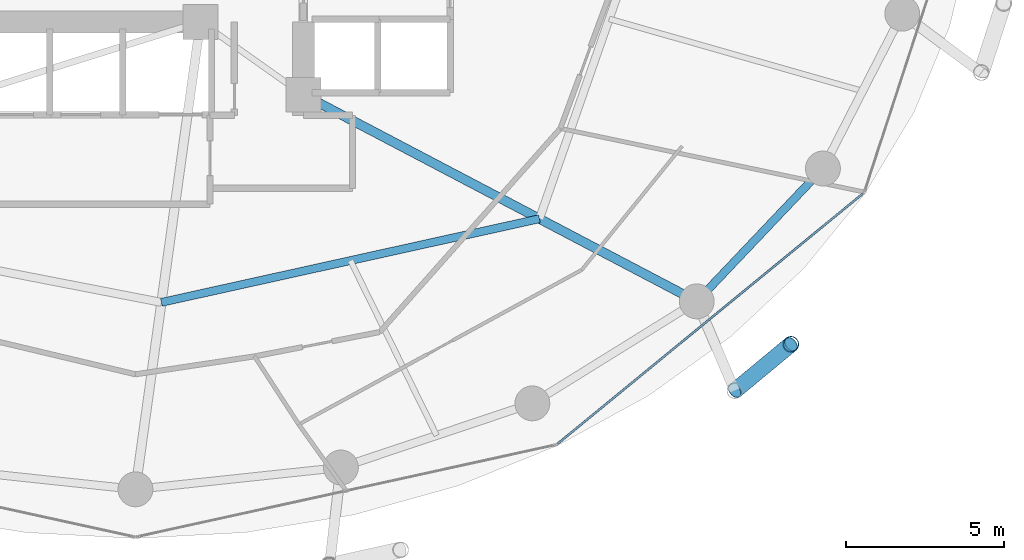
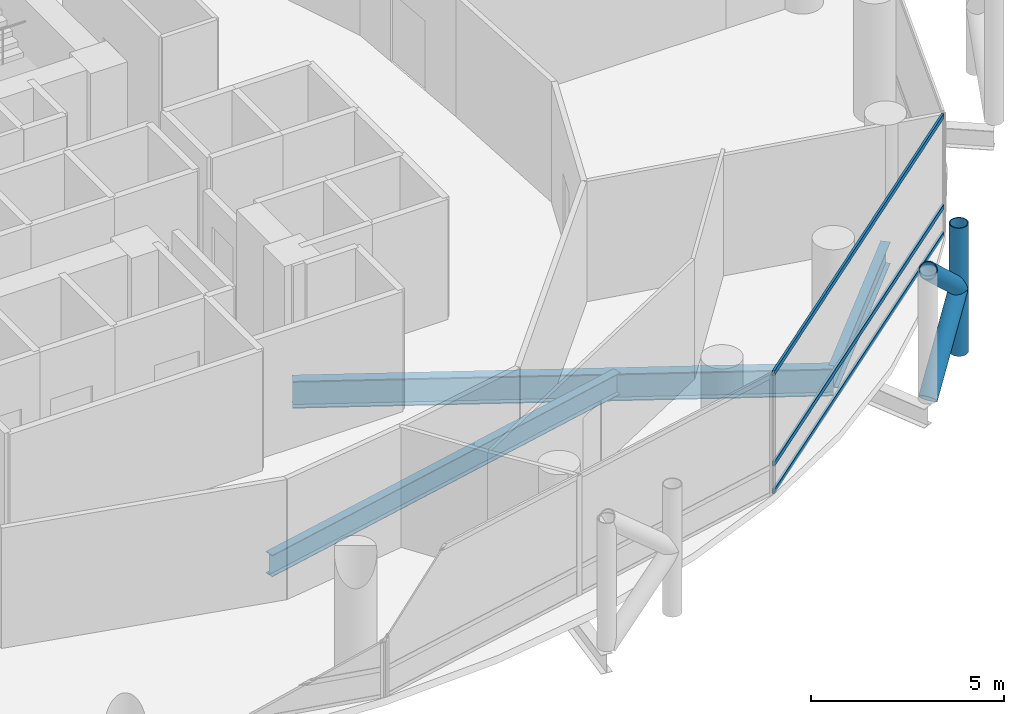
# One storey, part 9 of 24: 6 members, 3 beams, 1 element without a shape of its own.
"""IFC4 building model written with IfcOpenShell, lengths in metres."""

from ifc_helpers import new_model, si_unit, direction, frame, origin, origin_2d, place, context, subcontext, project, spatial, hollow_rectangle, hollow_circle, i_section, extrude, material, layer, layer_set, material_profile, profile_set, type_object, element, aggregate, save


model = new_model("IFC4")

# Units and contexts
model_context = context("Model", 3, precision=1e-05, world=origin(), true_north=direction((0.0, 1.0)))
body_context = subcontext(model_context, "Body", "Model", "MODEL_VIEW")
ifc_project = project(units=[si_unit("LENGTHUNIT", "METRE"), si_unit("AREAUNIT", "SQUARE_METRE"), si_unit("VOLUMEUNIT", "CUBIC_METRE"), si_unit("PLANEANGLEUNIT", "RADIAN"), si_unit("MASSUNIT", "GRAM", prefix="KILO")], contexts=[model_context])

# Site, building, storey
site_placement = place(None, origin())
site = spatial("IfcSite", under=ifc_project, at=site_placement, CompositionType="ELEMENT")
building_placement = place(site_placement, origin())
building = spatial("IfcBuilding", under=site, at=building_placement, Name="Nuhasar Tower", CompositionType="ELEMENT")
storey_placement = place(building_placement, frame((0.0, 0.0, 89.85009765625)))
storey = spatial("IfcBuildingStorey", under=building, at=storey_placement, Name="L21", CompositionType="ELEMENT", Elevation=89.85009765625)

# Beams
ifc_material_1 = material(Name="Steel S355", Category="steel")
ifc_material_profile_1 = material_profile(ifc_material_1, i_section(OverallWidth=0.25390625, OverallDepth=0.68408203125, WebThickness=0.012451171875, FlangeThickness=0.018798828125, at=origin_2d()), Name="W27X94")
ifc_profile_set_1 = profile_set([ifc_material_profile_1], Name="Steel S355")
beam_type_1 = type_object("IfcBeamType", Name="BM-INRING-W27X94", PredefinedType="BEAM", material=ifc_profile_set_1)
beam_1_placement = place(storey_placement, frame((39.820068359375, 12.449951171875, -0.592041015625), z_axis=(0.976386023343, 0.216033176665, 0.0), x_axis=(-0.216033176665, 0.976386023343, 0.0)))
element("IfcBeam", 1, at=beam_1_placement, inside=storey, type_object=beam_type_1, Name="L21 Inner Header Beam 02", PredefinedType="BEAM", context=body_context, shape_type="SweptSolid", body=[
    extrude(i_section(OverallWidth=0.25390625, OverallDepth=0.68408203125, WebThickness=0.012451171875, FlangeThickness=0.018798828125, at=origin_2d()), origin(), (0.0, 0.0, 1.0), 12.216552734375),
])
ifc_material_profile_2 = material_profile(ifc_material_1, i_section(OverallWidth=0.2919921875, OverallDepth=0.85888671875, WebThickness=0.01708984375, FlangeThickness=0.031005859375, at=origin_2d()), Name="W33X169")
ifc_profile_set_2 = profile_set([ifc_material_profile_2], Name="Steel S355")
beam_type_2 = type_object("IfcBeamType", Name="BM-POD-W33X169", PredefinedType="BEAM", material=ifc_profile_set_2)
beam_2_placement = place(storey_placement, frame((44.300048828125, 19.0, -0.68017578125), z_axis=(0.885330348705, -0.464962550816, 0.0), x_axis=(0.464962550816, 0.885330348705, 0.0)))
element("IfcBeam", 2, at=beam_2_placement, inside=storey, type_object=beam_type_2, Name="L21 Radial Floor Girder 03", PredefinedType="BEAM", context=body_context, shape_type="SweptSolid", body=[
    extrude(i_section(OverallWidth=0.2919921875, OverallDepth=0.85888671875, WebThickness=0.01708984375, FlangeThickness=0.031005859375, at=origin_2d()), origin(), (0.0, 0.0, 1.0), 14.0205078125),
])
ifc_material_profile_3 = material_profile(ifc_material_1, i_section(OverallWidth=0.256103515625, OverallDepth=0.693115234375, WebThickness=0.014404296875, FlangeThickness=0.023681640625, at=origin_2d()), Name="W27X114")
ifc_profile_set_3 = profile_set([ifc_material_profile_3], Name="Steel S355")
beam_type_3 = type_object("IfcBeamType", Name="BM-RING-W27X114", PredefinedType="SPANDREL", material=ifc_profile_set_3)
beam_3_placement = place(storey_placement, frame((56.712890625, 12.48095703125, -0.59716796875), z_axis=(0.688459812429, 0.725274490569, 0.0), x_axis=(-0.725274490569, 0.688459812429, 0.0)))
element("IfcBeam", 3, at=beam_3_placement, inside=storey, type_object=beam_type_3, Name="L21 Perimeter Ring Spandrel 22", PredefinedType="SPANDREL", context=body_context, shape_type="SweptSolid", body=[
    extrude(i_section(OverallWidth=0.256103515625, OverallDepth=0.693115234375, WebThickness=0.014404296875, FlangeThickness=0.023681640625, at=origin_2d()), origin(), (0.0, 0.0, 1.0), 5.78271484375),
])

# Curtain wall, members
ifc_material_2 = material(Name="Aluminium 6063-T6", Category="aluminium")
ifc_layer = layer(ifc_material_2, 0.199951171875)
ifc_layer_set = layer_set([ifc_layer], Name="Aluminium 6063-T6")
curtain_wall_type = type_object("IfcCurtainWallType", Name="CW-Z1-OFF", PredefinedType="NOTDEFINED", material=ifc_layer_set)
curtain_wall_placement = place(storey_placement, origin())
curtain_wall = element("IfcCurtainWall", 4, at=curtain_wall_placement, inside=storey, type_object=curtain_wall_type, Name="L21 Unitised Curtain Wall 11", PredefinedType="NOTDEFINED")
ifc_material_profile_4 = material_profile(ifc_material_2, hollow_rectangle(XDim=0.06494140625, YDim=0.14990234375, WallThickness=0.00439453125, at=origin_2d()), Name="CWT-2")
ifc_profile_set_4 = profile_set([ifc_material_profile_4], Name="Aluminium 6063-T6")
member_type_1 = type_object("IfcMemberType", Name="CW-TRN-S2", PredefinedType="USERDEFINED", material=ifc_profile_set_4)
member_1_placement = place(storey_placement, frame((52.330322265625, 7.99609375, 0.032470703125), z_axis=(0.773531229158, 0.633758185365, 0.0), x_axis=(-0.633758185365, 0.773531229158, 0.0)))
member_1 = element("IfcMember", 5, at=member_1_placement, type_object=member_type_1, Name="CW-Z1 transom 1.1", ObjectType="TRANSOM", PredefinedType="USERDEFINED", context=body_context, shape_type="SweptSolid", body=[
    extrude(hollow_rectangle(XDim=0.06494140625, YDim=0.14990234375, WallThickness=0.00439453125, at=origin_2d()), origin(), (0.0, 0.0, 1.0), 12.438232421875),
])
member_2_placement = place(storey_placement, frame((52.330322265625, 7.99609375, 0.89990234375), z_axis=(0.773531229158, 0.633758185365, 0.0), x_axis=(-0.633758185365, 0.773531229158, 0.0)))
member_2 = element("IfcMember", 6, at=member_2_placement, type_object=member_type_1, Name="CW-Z1 transom 1.2", ObjectType="TRANSOM", PredefinedType="USERDEFINED", context=body_context, shape_type="SweptSolid", body=[
    extrude(hollow_rectangle(XDim=0.06494140625, YDim=0.14990234375, WallThickness=0.00439453125, at=origin_2d()), origin(), (0.0, 0.0, 1.0), 12.438232421875),
])
member_3_placement = place(storey_placement, frame((52.330322265625, 7.99609375, 3.767333984375), z_axis=(0.773531229158, 0.633758185365, 0.0), x_axis=(-0.633758185365, 0.773531229158, 0.0)))
member_3 = element("IfcMember", 7, at=member_3_placement, type_object=member_type_1, Name="CW-Z1 transom 1.3", ObjectType="TRANSOM", PredefinedType="USERDEFINED", context=body_context, shape_type="SweptSolid", body=[
    extrude(hollow_rectangle(XDim=0.06494140625, YDim=0.14990234375, WallThickness=0.00439453125, at=origin_2d()), origin(), (0.0, 0.0, 1.0), 12.438232421875),
])
aggregate(curtain_wall, [member_1, member_2, member_3])

# Members
ifc_material_3 = material(Name="Steel S460", Category="steel")
ifc_material_profile_5 = material_profile(ifc_material_3, hollow_circle(Radius=0.25390625, WallThickness=0.025390625, at=origin_2d()), Name="HSS508X25.4")
ifc_profile_set_5 = profile_set([ifc_material_profile_5], Name="Steel S460")
member_type_2 = type_object("IfcMemberType", Name="EXO-BRONZE-508", PredefinedType="BRACE", material=ifc_profile_set_5)
member_4_placement = place(storey_placement, frame((59.68505859375, 11.12890625, 0.0), z_axis=(0.0, 0.0, 1.0), x_axis=(1.0, 0.0, 0.0)))
element("IfcMember", 8, at=member_4_placement, inside=storey, type_object=member_type_2, Name="L21 Exoskeleton Chord Column EC-11B", PredefinedType="BRACE", context=body_context, shape_type="SweptSolid", body=[
    extrude(hollow_circle(Radius=0.25390625, WallThickness=0.025390625, at=origin_2d()), origin(), (0.0, 0.0, 1.0), 4.0498046875),
])
for number, where, z_axis, x_axis, name in (
    (9, (57.9130859375, 9.660888671875, 0.0), (0.578101613167, 0.478937034992, 0.660619286251), (-0.637969333506, 0.770061769929, 0.0), "L21 Bronze Diagrid Brace W1-11"),
    (10, (59.68505859375, 11.12890625, 2.02490234375), (-0.578101613167, -0.478937034992, 0.660619286251), (0.637969333506, -0.770061769929, 0.0), "L21 Bronze Diagrid Brace W2-11"),
):
    element("IfcMember", number, at=place(storey_placement, frame(where, z_axis=z_axis, x_axis=x_axis)), inside=storey, type_object=member_type_2, Name=name, PredefinedType="BRACE", context=body_context, shape_type="SweptSolid", body=[
        extrude(hollow_circle(Radius=0.25390625, WallThickness=0.025390625, at=origin_2d()), origin(), (0.0, 0.0, 1.0), 3.065185546875),
    ])

save(model, "model.ifc")
